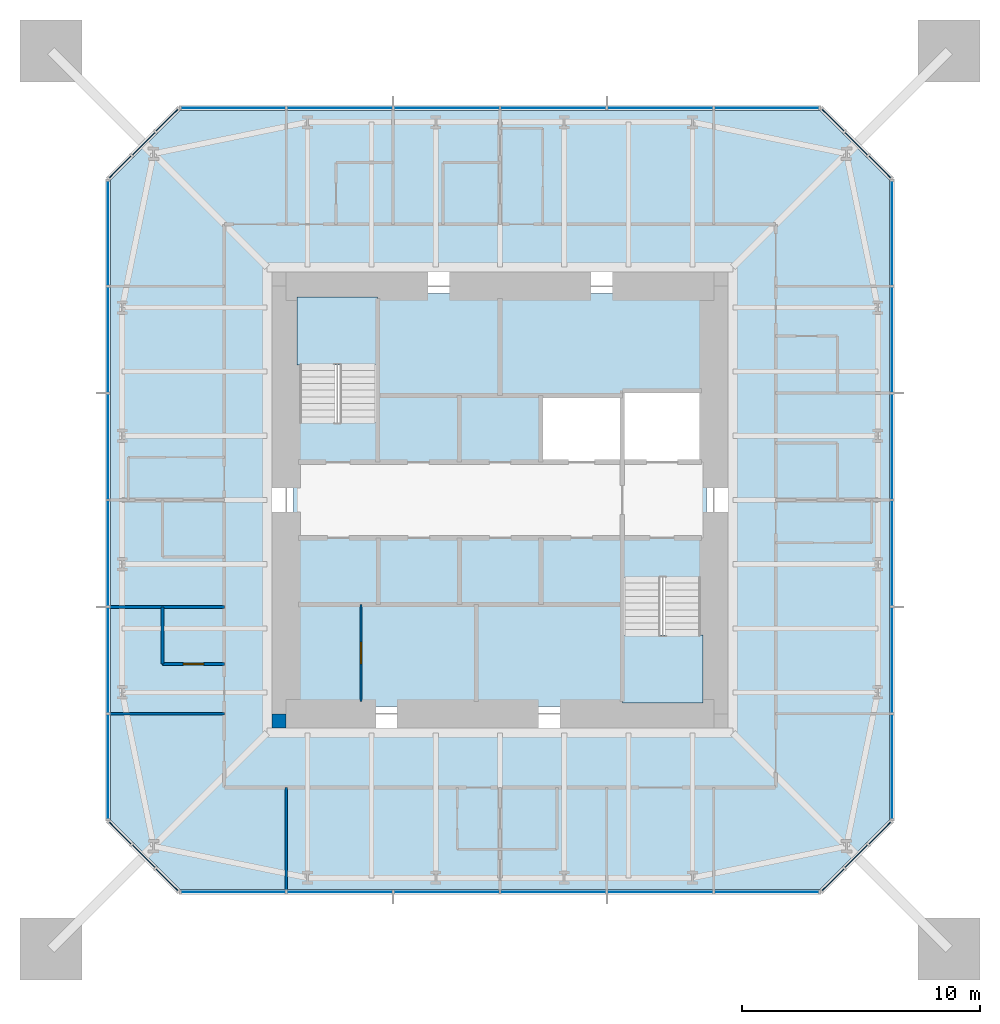
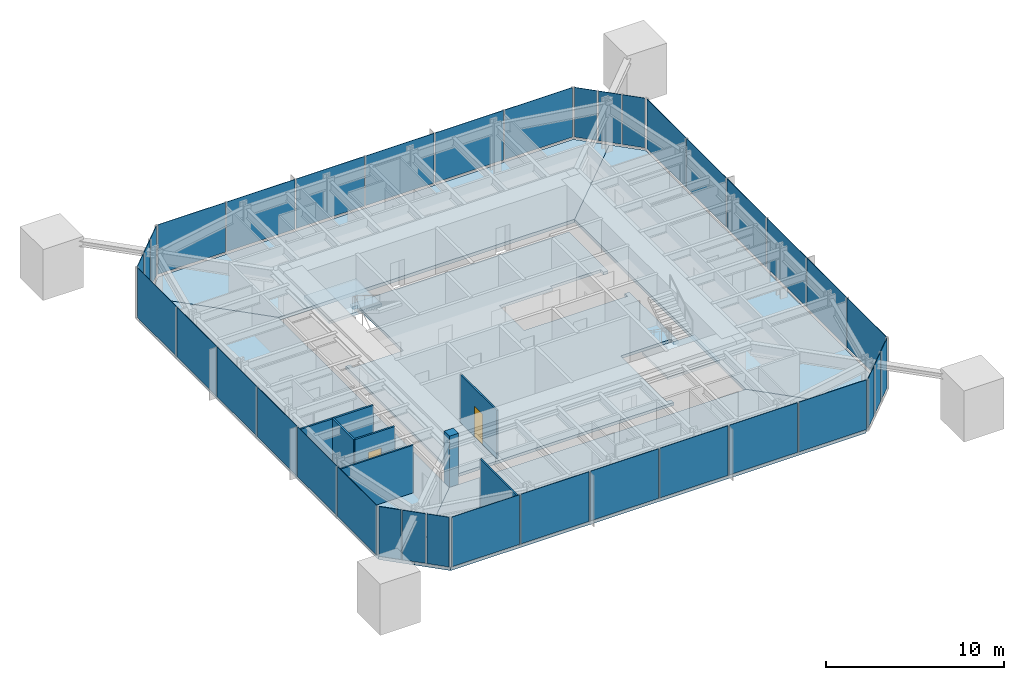
# One storey, part 5 of 9: 36 plates, 7 slabs, 7 walls, 2 doors, 2 openings, 10 elements without a shape of their own.
"""IFC4 building model written with IfcOpenShell, lengths in metres."""

from ifc_helpers import new_model, si_unit, direction, frame, frame_2d, origin, origin_2d, place, context, subcontext, project, spatial, polyline, rectangle, outline, extrude, material, layer, layer_set, constituent, constituent_set, type_object, element, fill, aggregate, save


model = new_model("IFC4")

# Units and contexts
model_context = context("Model", 3, precision=1e-05, world=origin(), true_north=direction((0.0, 1.0)))
body_context = subcontext(model_context, "Body", "Model", "MODEL_VIEW")
ifc_project = project(units=[si_unit("LENGTHUNIT", "METRE"), si_unit("AREAUNIT", "SQUARE_METRE"), si_unit("VOLUMEUNIT", "CUBIC_METRE"), si_unit("PLANEANGLEUNIT", "RADIAN"), si_unit("MASSUNIT", "GRAM", prefix="KILO")], contexts=[model_context])

# Site, building, storey
site_placement = place(None, origin())
site = spatial("IfcSite", under=ifc_project, at=site_placement, CompositionType="ELEMENT")
building_placement = place(site_placement, origin())
building = spatial("IfcBuilding", under=site, at=building_placement, Name="Iwan Alto Co-Living Towers", CompositionType="ELEMENT")
storey_placement = place(building_placement, frame((0.0, 0.0, 232.5)))
storey = spatial("IfcBuildingStorey", under=building, at=storey_placement, Name="L63", CompositionType="ELEMENT", Elevation=232.5)

# Slab
ifc_material_1 = material(Name="Concrete f'c 30 MPa", Category="concrete")
ifc_layer_1 = layer(ifc_material_1, 0.199951171875)
ifc_layer_set_1 = layer_set([ifc_layer_1], Name="CORE FLOOR SLAB 200")
slab_type_1 = type_object("IfcSlabType", Name="CORE FLOOR SLAB 200", PredefinedType="FLOOR", material=ifc_layer_set_1)
slab_1_placement = place(storey_placement, frame((0.0, 0.0, -0.199951171875)))
element("IfcSlab", 1, at=slab_1_placement, inside=storey, type_object=slab_type_1, Name="T1 core floor L63", PredefinedType="FLOOR", context=body_context, shape_type="SweptSolid", body=[
    extrude(outline(polyline([(-8.699951171875, 3.580078125), (-8.39990234375, 3.580078125), (-8.39990234375, 3.27001953125), (-5.14990234375, 3.27001953125), (-5.14990234375, 8.39990234375), (-5.4599609375, 8.39990234375), (-5.4599609375, 8.699951171875), (8.699951171875, 8.699951171875), (8.699951171875, 4.2900390625), (8.39990234375, 4.2900390625), (8.39990234375, 4.60009765625), (5.14990234375, 4.60009765625), (5.14990234375, 4.39990234375), (1.717041015625, 4.39990234375), (1.717041015625, 1.60009765625), (5.14990234375, 1.60009765625), (8.39990234375, 1.60009765625), (8.39990234375, 1.909912109375), (8.699951171875, 1.909912109375), (8.699951171875, -3.580078125), (8.39990234375, -3.580078125), (8.39990234375, -3.27001953125), (5.14990234375, -3.27001953125), (5.14990234375, -8.39990234375), (5.4599609375, -8.39990234375), (5.4599609375, -8.699951171875), (-8.699951171875, -8.699951171875), (-8.699951171875, 3.580078125)])), origin(), (0.0, 0.0, 1.0), 0.199951171875),
])

# Curtain wall, plates
ifc_material_2 = material(Name="Bronze aluminium unitised frame", Category="aluminium")
curtain_wall_type_1 = type_object("IfcCurtainWallType", Name="CURTAIN WALL CW-A", PredefinedType="NOTDEFINED", material=ifc_material_2)
curtain_wall_1_placement = place(storey_placement, origin())
curtain_wall_1 = element("IfcCurtainWall", 2, at=curtain_wall_1_placement, inside=storey, type_object=curtain_wall_type_1, Name="T1 curtain wall S L63", PredefinedType="NOTDEFINED")
ifc_material_3 = material(Name="Bronze-tinted insulating glass", Category="glass")
ifc_layer_2 = layer(ifc_material_3, 0.031982421875)
ifc_layer_set_2 = layer_set([ifc_layer_2], Name="CW-A PANEL TINTED IGU 32")
plate_type_1 = type_object("IfcPlateType", Name="CW-A PANEL TINTED IGU 32", PredefinedType="CURTAIN_PANEL", material=ifc_layer_set_2)
plate_1_placement = place(storey_placement, frame((-11.22998046875, -16.5, 0.10009765625), z_axis=(0.0, 0.0, 1.0), x_axis=(1.0, 0.0, 0.0)))
plate_1 = element("IfcPlate", 3, at=plate_1_placement, type_object=plate_type_1, Name="CW-A panel 1.1", PredefinedType="CURTAIN_PANEL", context=body_context, shape_type="SweptSolid", body=[
    extrude(rectangle(XDim=4.3798828125, YDim=0.031982421875, at=origin_2d()), origin(), (0.0, 0.0, 1.0), 3.39990234375),
])
plate_2_placement = place(storey_placement, frame((-6.75, -16.5, 0.10009765625), z_axis=(0.0, 0.0, 1.0), x_axis=(1.0, 0.0, 0.0)))
plate_2 = element("IfcPlate", 4, at=plate_2_placement, type_object=plate_type_1, Name="CW-A panel 2.1", PredefinedType="CURTAIN_PANEL", context=body_context, shape_type="SweptSolid", body=[
    extrude(rectangle(XDim=4.419921875, YDim=0.031982421875, at=origin_2d()), origin(), (0.0, 0.0, 1.0), 3.39990234375),
])
plate_3_placement = place(storey_placement, frame((-2.25, -16.5, 0.10009765625), z_axis=(0.0, 0.0, 1.0), x_axis=(1.0, 0.0, 0.0)))
plate_3 = element("IfcPlate", 5, at=plate_3_placement, type_object=plate_type_1, Name="CW-A panel 3.1", PredefinedType="CURTAIN_PANEL", context=body_context, shape_type="SweptSolid", body=[
    extrude(rectangle(XDim=4.419921875, YDim=0.031982421875, at=origin_2d()), origin(), (0.0, 0.0, 1.0), 3.39990234375),
])
plate_4_placement = place(storey_placement, frame((2.25, -16.5, 0.10009765625), z_axis=(0.0, 0.0, 1.0), x_axis=(1.0, 0.0, 0.0)))
plate_4 = element("IfcPlate", 6, at=plate_4_placement, type_object=plate_type_1, Name="CW-A panel 4.1", PredefinedType="CURTAIN_PANEL", context=body_context, shape_type="SweptSolid", body=[
    extrude(rectangle(XDim=4.419921875, YDim=0.031982421875, at=origin_2d()), origin(), (0.0, 0.0, 1.0), 3.39990234375),
])
plate_5_placement = place(storey_placement, frame((6.75, -16.5, 0.10009765625), z_axis=(0.0, 0.0, 1.0), x_axis=(1.0, 0.0, 0.0)))
plate_5 = element("IfcPlate", 7, at=plate_5_placement, type_object=plate_type_1, Name="CW-A panel 5.1", PredefinedType="CURTAIN_PANEL", context=body_context, shape_type="SweptSolid", body=[
    extrude(rectangle(XDim=4.419921875, YDim=0.031982421875, at=origin_2d()), origin(), (0.0, 0.0, 1.0), 3.39990234375),
])
plate_6_placement = place(storey_placement, frame((11.22998046875, -16.5, 0.10009765625), z_axis=(0.0, 0.0, 1.0), x_axis=(1.0, 0.0, 0.0)))
plate_6 = element("IfcPlate", 8, at=plate_6_placement, type_object=plate_type_1, Name="CW-A panel 6.1", PredefinedType="CURTAIN_PANEL", context=body_context, shape_type="SweptSolid", body=[
    extrude(rectangle(XDim=4.3798828125, YDim=0.031982421875, at=origin_2d()), origin(), (0.0, 0.0, 1.0), 3.39990234375),
])
aggregate(curtain_wall_1, [plate_1, plate_2, plate_3, plate_4, plate_5, plate_6])

curtain_wall_2_placement = place(storey_placement, origin())
curtain_wall_2 = element("IfcCurtainWall", 9, at=curtain_wall_2_placement, inside=storey, type_object=curtain_wall_type_1, Name="T1 curtain wall E L63", PredefinedType="NOTDEFINED")
plate_7_placement = place(storey_placement, frame((16.5, -11.22998046875, 0.10009765625), z_axis=(0.0, 0.0, 1.0), x_axis=(0.0, 1.0, 0.0)))
plate_7 = element("IfcPlate", 10, at=plate_7_placement, type_object=plate_type_1, Name="CW-A panel 1.1", PredefinedType="CURTAIN_PANEL", context=body_context, shape_type="SweptSolid", body=[
    extrude(rectangle(XDim=4.3798828125, YDim=0.031982421875, at=origin_2d()), origin(), (0.0, 0.0, 1.0), 3.39990234375),
])
plate_8_placement = place(storey_placement, frame((16.5, -6.75, 0.10009765625), z_axis=(0.0, 0.0, 1.0), x_axis=(0.0, 1.0, 0.0)))
plate_8 = element("IfcPlate", 11, at=plate_8_placement, type_object=plate_type_1, Name="CW-A panel 2.1", PredefinedType="CURTAIN_PANEL", context=body_context, shape_type="SweptSolid", body=[
    extrude(rectangle(XDim=4.419921875, YDim=0.031982421875, at=origin_2d()), origin(), (0.0, 0.0, 1.0), 3.39990234375),
])
plate_9_placement = place(storey_placement, frame((16.5, -2.25, 0.10009765625), z_axis=(0.0, 0.0, 1.0), x_axis=(0.0, 1.0, 0.0)))
plate_9 = element("IfcPlate", 12, at=plate_9_placement, type_object=plate_type_1, Name="CW-A panel 3.1", PredefinedType="CURTAIN_PANEL", context=body_context, shape_type="SweptSolid", body=[
    extrude(rectangle(XDim=4.419921875, YDim=0.031982421875, at=origin_2d()), origin(), (0.0, 0.0, 1.0), 3.39990234375),
])
plate_10_placement = place(storey_placement, frame((16.5, 2.25, 0.10009765625), z_axis=(0.0, 0.0, 1.0), x_axis=(0.0, 1.0, 0.0)))
plate_10 = element("IfcPlate", 13, at=plate_10_placement, type_object=plate_type_1, Name="CW-A panel 4.1", PredefinedType="CURTAIN_PANEL", context=body_context, shape_type="SweptSolid", body=[
    extrude(rectangle(XDim=4.419921875, YDim=0.031982421875, at=origin_2d()), origin(), (0.0, 0.0, 1.0), 3.39990234375),
])
plate_11_placement = place(storey_placement, frame((16.5, 6.75, 0.10009765625), z_axis=(0.0, 0.0, 1.0), x_axis=(0.0, 1.0, 0.0)))
plate_11 = element("IfcPlate", 14, at=plate_11_placement, type_object=plate_type_1, Name="CW-A panel 5.1", PredefinedType="CURTAIN_PANEL", context=body_context, shape_type="SweptSolid", body=[
    extrude(rectangle(XDim=4.419921875, YDim=0.031982421875, at=origin_2d()), origin(), (0.0, 0.0, 1.0), 3.39990234375),
])
plate_12_placement = place(storey_placement, frame((16.5, 11.22998046875, 0.10009765625), z_axis=(0.0, 0.0, 1.0), x_axis=(0.0, 1.0, 0.0)))
plate_12 = element("IfcPlate", 15, at=plate_12_placement, type_object=plate_type_1, Name="CW-A panel 6.1", PredefinedType="CURTAIN_PANEL", context=body_context, shape_type="SweptSolid", body=[
    extrude(rectangle(XDim=4.3798828125, YDim=0.031982421875, at=origin_2d()), origin(), (0.0, 0.0, 1.0), 3.39990234375),
])
aggregate(curtain_wall_2, [plate_7, plate_8, plate_9, plate_10, plate_11, plate_12])

curtain_wall_3_placement = place(storey_placement, origin())
curtain_wall_3 = element("IfcCurtainWall", 16, at=curtain_wall_3_placement, inside=storey, type_object=curtain_wall_type_1, Name="T1 curtain wall N L63", PredefinedType="NOTDEFINED")
plate_13_placement = place(storey_placement, frame((11.22998046875, 16.5, 0.10009765625), z_axis=(0.0, 0.0, 1.0), x_axis=(-1.0, 0.0, 0.0)))
plate_13 = element("IfcPlate", 17, at=plate_13_placement, type_object=plate_type_1, Name="CW-A panel 1.1", PredefinedType="CURTAIN_PANEL", context=body_context, shape_type="SweptSolid", body=[
    extrude(rectangle(XDim=4.3798828125, YDim=0.031982421875, at=origin_2d()), origin(), (0.0, 0.0, 1.0), 3.39990234375),
])
plate_14_placement = place(storey_placement, frame((6.75, 16.5, 0.10009765625), z_axis=(0.0, 0.0, 1.0), x_axis=(-1.0, 0.0, 0.0)))
plate_14 = element("IfcPlate", 18, at=plate_14_placement, type_object=plate_type_1, Name="CW-A panel 2.1", PredefinedType="CURTAIN_PANEL", context=body_context, shape_type="SweptSolid", body=[
    extrude(rectangle(XDim=4.419921875, YDim=0.031982421875, at=origin_2d()), origin(), (0.0, 0.0, 1.0), 3.39990234375),
])
plate_15_placement = place(storey_placement, frame((2.25, 16.5, 0.10009765625), z_axis=(0.0, 0.0, 1.0), x_axis=(-1.0, 0.0, 0.0)))
plate_15 = element("IfcPlate", 19, at=plate_15_placement, type_object=plate_type_1, Name="CW-A panel 3.1", PredefinedType="CURTAIN_PANEL", context=body_context, shape_type="SweptSolid", body=[
    extrude(rectangle(XDim=4.419921875, YDim=0.031982421875, at=origin_2d()), origin(), (0.0, 0.0, 1.0), 3.39990234375),
])
plate_16_placement = place(storey_placement, frame((-2.25, 16.5, 0.10009765625), z_axis=(0.0, 0.0, 1.0), x_axis=(-1.0, 0.0, 0.0)))
plate_16 = element("IfcPlate", 20, at=plate_16_placement, type_object=plate_type_1, Name="CW-A panel 4.1", PredefinedType="CURTAIN_PANEL", context=body_context, shape_type="SweptSolid", body=[
    extrude(rectangle(XDim=4.419921875, YDim=0.031982421875, at=origin_2d()), origin(), (0.0, 0.0, 1.0), 3.39990234375),
])
plate_17_placement = place(storey_placement, frame((-6.75, 16.5, 0.10009765625), z_axis=(0.0, 0.0, 1.0), x_axis=(-1.0, 0.0, 0.0)))
plate_17 = element("IfcPlate", 21, at=plate_17_placement, type_object=plate_type_1, Name="CW-A panel 5.1", PredefinedType="CURTAIN_PANEL", context=body_context, shape_type="SweptSolid", body=[
    extrude(rectangle(XDim=4.419921875, YDim=0.031982421875, at=origin_2d()), origin(), (0.0, 0.0, 1.0), 3.39990234375),
])
plate_18_placement = place(storey_placement, frame((-11.22998046875, 16.5, 0.10009765625), z_axis=(0.0, 0.0, 1.0), x_axis=(-1.0, 0.0, 0.0)))
plate_18 = element("IfcPlate", 22, at=plate_18_placement, type_object=plate_type_1, Name="CW-A panel 6.1", PredefinedType="CURTAIN_PANEL", context=body_context, shape_type="SweptSolid", body=[
    extrude(rectangle(XDim=4.3798828125, YDim=0.031982421875, at=origin_2d()), origin(), (0.0, 0.0, 1.0), 3.39990234375),
])
aggregate(curtain_wall_3, [plate_13, plate_14, plate_15, plate_16, plate_17, plate_18])

curtain_wall_4_placement = place(storey_placement, origin())
curtain_wall_4 = element("IfcCurtainWall", 23, at=curtain_wall_4_placement, inside=storey, type_object=curtain_wall_type_1, Name="T1 curtain wall W L63", PredefinedType="NOTDEFINED")
plate_19_placement = place(storey_placement, frame((-16.5, 11.22998046875, 0.10009765625), z_axis=(0.0, 0.0, 1.0), x_axis=(0.0, -1.0, 0.0)))
plate_19 = element("IfcPlate", 24, at=plate_19_placement, type_object=plate_type_1, Name="CW-A panel 1.1", PredefinedType="CURTAIN_PANEL", context=body_context, shape_type="SweptSolid", body=[
    extrude(rectangle(XDim=4.3798828125, YDim=0.031982421875, at=origin_2d()), origin(), (0.0, 0.0, 1.0), 3.39990234375),
])
plate_20_placement = place(storey_placement, frame((-16.5, 6.75, 0.10009765625), z_axis=(0.0, 0.0, 1.0), x_axis=(0.0, -1.0, 0.0)))
plate_20 = element("IfcPlate", 25, at=plate_20_placement, type_object=plate_type_1, Name="CW-A panel 2.1", PredefinedType="CURTAIN_PANEL", context=body_context, shape_type="SweptSolid", body=[
    extrude(rectangle(XDim=4.419921875, YDim=0.031982421875, at=origin_2d()), origin(), (0.0, 0.0, 1.0), 3.39990234375),
])
plate_21_placement = place(storey_placement, frame((-16.5, 2.25, 0.10009765625), z_axis=(0.0, 0.0, 1.0), x_axis=(0.0, -1.0, 0.0)))
plate_21 = element("IfcPlate", 26, at=plate_21_placement, type_object=plate_type_1, Name="CW-A panel 3.1", PredefinedType="CURTAIN_PANEL", context=body_context, shape_type="SweptSolid", body=[
    extrude(rectangle(XDim=4.419921875, YDim=0.031982421875, at=origin_2d()), origin(), (0.0, 0.0, 1.0), 3.39990234375),
])
plate_22_placement = place(storey_placement, frame((-16.5, -2.25, 0.10009765625), z_axis=(0.0, 0.0, 1.0), x_axis=(0.0, -1.0, 0.0)))
plate_22 = element("IfcPlate", 27, at=plate_22_placement, type_object=plate_type_1, Name="CW-A panel 4.1", PredefinedType="CURTAIN_PANEL", context=body_context, shape_type="SweptSolid", body=[
    extrude(rectangle(XDim=4.419921875, YDim=0.031982421875, at=origin_2d()), origin(), (0.0, 0.0, 1.0), 3.39990234375),
])
plate_23_placement = place(storey_placement, frame((-16.5, -6.75, 0.10009765625), z_axis=(0.0, 0.0, 1.0), x_axis=(0.0, -1.0, 0.0)))
plate_23 = element("IfcPlate", 28, at=plate_23_placement, type_object=plate_type_1, Name="CW-A panel 5.1", PredefinedType="CURTAIN_PANEL", context=body_context, shape_type="SweptSolid", body=[
    extrude(rectangle(XDim=4.419921875, YDim=0.031982421875, at=origin_2d()), origin(), (0.0, 0.0, 1.0), 3.39990234375),
])
plate_24_placement = place(storey_placement, frame((-16.5, -11.22998046875, 0.10009765625), z_axis=(0.0, 0.0, 1.0), x_axis=(0.0, -1.0, 0.0)))
plate_24 = element("IfcPlate", 29, at=plate_24_placement, type_object=plate_type_1, Name="CW-A panel 6.1", PredefinedType="CURTAIN_PANEL", context=body_context, shape_type="SweptSolid", body=[
    extrude(rectangle(XDim=4.3798828125, YDim=0.031982421875, at=origin_2d()), origin(), (0.0, 0.0, 1.0), 3.39990234375),
])
aggregate(curtain_wall_4, [plate_19, plate_20, plate_21, plate_22, plate_23, plate_24])

ifc_material_4 = material(Name="Bronze aluminium unitised frame", Category="aluminium")
curtain_wall_type_2 = type_object("IfcCurtainWallType", Name="CURTAIN WALL CW-B", PredefinedType="NOTDEFINED", material=ifc_material_4)
curtain_wall_5_placement = place(storey_placement, origin())
curtain_wall_5 = element("IfcCurtainWall", 30, at=curtain_wall_5_placement, inside=storey, type_object=curtain_wall_type_2, Name="T1 chamfer curtain wall SE L63", PredefinedType="NOTDEFINED")
ifc_material_5 = material(Name="Bronze-tinted insulating glass", Category="glass")
ifc_layer_3 = layer(ifc_material_5, 0.031982421875)
ifc_layer_set_3 = layer_set([ifc_layer_3], Name="CW-B PANEL TINTED IGU 32")
plate_type_2 = type_object("IfcPlateType", Name="CW-B PANEL TINTED IGU 32", PredefinedType="CURTAIN_PANEL", material=ifc_layer_set_3)
plate_25_placement = place(storey_placement, frame((14.01416015625, -15.98583984375, 0.10009765625), z_axis=(0.0, 0.0, 1.0), x_axis=(0.707106781187, 0.707106781187, 0.0)))
plate_25 = element("IfcPlate", 31, at=plate_25_placement, type_object=plate_type_2, Name="CW-B panel 1.1", PredefinedType="CURTAIN_PANEL", context=body_context, shape_type="SweptSolid", body=[
    extrude(rectangle(XDim=1.294189453125, YDim=0.031982421875, at=origin_2d()), origin(), (0.0, 0.0, 1.0), 3.39990234375),
])
plate_26_placement = place(storey_placement, frame((15.0, -15.0, 0.10009765625), z_axis=(0.0, 0.0, 1.0), x_axis=(0.707106781187, 0.707106781187, 0.0)))
plate_26 = element("IfcPlate", 32, at=plate_26_placement, type_object=plate_type_2, Name="CW-B panel 2.1", PredefinedType="CURTAIN_PANEL", context=body_context, shape_type="SweptSolid", body=[
    extrude(rectangle(XDim=1.334228515625, YDim=0.031982421875, at=origin_2d()), origin(), (0.0, 0.0, 1.0), 3.39990234375),
])
plate_27_placement = place(storey_placement, frame((15.98583984375, -14.01416015625, 0.10009765625), z_axis=(0.0, 0.0, 1.0), x_axis=(0.707106781187, 0.707106781187, 0.0)))
plate_27 = element("IfcPlate", 33, at=plate_27_placement, type_object=plate_type_2, Name="CW-B panel 3.1", PredefinedType="CURTAIN_PANEL", context=body_context, shape_type="SweptSolid", body=[
    extrude(rectangle(XDim=1.294189453125, YDim=0.031982421875, at=origin_2d()), origin(), (0.0, 0.0, 1.0), 3.39990234375),
])
aggregate(curtain_wall_5, [plate_25, plate_26, plate_27])

curtain_wall_6_placement = place(storey_placement, origin())
curtain_wall_6 = element("IfcCurtainWall", 34, at=curtain_wall_6_placement, inside=storey, type_object=curtain_wall_type_2, Name="T1 chamfer curtain wall NE L63", PredefinedType="NOTDEFINED")
plate_28_placement = place(storey_placement, frame((15.98583984375, 14.01416015625, 0.10009765625), z_axis=(0.0, 0.0, 1.0), x_axis=(-0.707106781187, 0.707106781187, 0.0)))
plate_28 = element("IfcPlate", 35, at=plate_28_placement, type_object=plate_type_2, Name="CW-B panel 1.1", PredefinedType="CURTAIN_PANEL", context=body_context, shape_type="SweptSolid", body=[
    extrude(rectangle(XDim=1.294189453125, YDim=0.031982421875, at=origin_2d()), origin(), (0.0, 0.0, 1.0), 3.39990234375),
])
plate_29_placement = place(storey_placement, frame((15.0, 15.0, 0.10009765625), z_axis=(0.0, 0.0, 1.0), x_axis=(-0.707106781187, 0.707106781187, 0.0)))
plate_29 = element("IfcPlate", 36, at=plate_29_placement, type_object=plate_type_2, Name="CW-B panel 2.1", PredefinedType="CURTAIN_PANEL", context=body_context, shape_type="SweptSolid", body=[
    extrude(rectangle(XDim=1.334228515625, YDim=0.031982421875, at=origin_2d()), origin(), (0.0, 0.0, 1.0), 3.39990234375),
])
plate_30_placement = place(storey_placement, frame((14.01416015625, 15.98583984375, 0.10009765625), z_axis=(0.0, 0.0, 1.0), x_axis=(-0.707106781187, 0.707106781187, 0.0)))
plate_30 = element("IfcPlate", 37, at=plate_30_placement, type_object=plate_type_2, Name="CW-B panel 3.1", PredefinedType="CURTAIN_PANEL", context=body_context, shape_type="SweptSolid", body=[
    extrude(rectangle(XDim=1.294189453125, YDim=0.031982421875, at=origin_2d()), origin(), (0.0, 0.0, 1.0), 3.39990234375),
])
aggregate(curtain_wall_6, [plate_28, plate_29, plate_30])

curtain_wall_7_placement = place(storey_placement, origin())
curtain_wall_7 = element("IfcCurtainWall", 38, at=curtain_wall_7_placement, inside=storey, type_object=curtain_wall_type_2, Name="T1 chamfer curtain wall NW L63", PredefinedType="NOTDEFINED")
plate_31_placement = place(storey_placement, frame((-14.01416015625, 15.98583984375, 0.10009765625), z_axis=(0.0, 0.0, 1.0), x_axis=(-0.707106781187, -0.707106781187, 0.0)))
plate_31 = element("IfcPlate", 39, at=plate_31_placement, type_object=plate_type_2, Name="CW-B panel 1.1", PredefinedType="CURTAIN_PANEL", context=body_context, shape_type="SweptSolid", body=[
    extrude(rectangle(XDim=1.294189453125, YDim=0.031982421875, at=origin_2d()), origin(), (0.0, 0.0, 1.0), 3.39990234375),
])
plate_32_placement = place(storey_placement, frame((-15.0, 15.0, 0.10009765625), z_axis=(0.0, 0.0, 1.0), x_axis=(-0.707106781187, -0.707106781187, 0.0)))
plate_32 = element("IfcPlate", 40, at=plate_32_placement, type_object=plate_type_2, Name="CW-B panel 2.1", PredefinedType="CURTAIN_PANEL", context=body_context, shape_type="SweptSolid", body=[
    extrude(rectangle(XDim=1.334228515625, YDim=0.031982421875, at=origin_2d()), origin(), (0.0, 0.0, 1.0), 3.39990234375),
])
plate_33_placement = place(storey_placement, frame((-15.98583984375, 14.01416015625, 0.10009765625), z_axis=(0.0, 0.0, 1.0), x_axis=(-0.707106781187, -0.707106781187, 0.0)))
plate_33 = element("IfcPlate", 41, at=plate_33_placement, type_object=plate_type_2, Name="CW-B panel 3.1", PredefinedType="CURTAIN_PANEL", context=body_context, shape_type="SweptSolid", body=[
    extrude(rectangle(XDim=1.294189453125, YDim=0.031982421875, at=origin_2d()), origin(), (0.0, 0.0, 1.0), 3.39990234375),
])
aggregate(curtain_wall_7, [plate_31, plate_32, plate_33])

curtain_wall_8_placement = place(storey_placement, origin())
curtain_wall_8 = element("IfcCurtainWall", 42, at=curtain_wall_8_placement, inside=storey, type_object=curtain_wall_type_2, Name="T1 chamfer curtain wall SW L63", PredefinedType="NOTDEFINED")
plate_34_placement = place(storey_placement, frame((-15.98583984375, -14.01416015625, 0.10009765625), z_axis=(0.0, 0.0, 1.0), x_axis=(0.707106781187, -0.707106781187, 0.0)))
plate_34 = element("IfcPlate", 43, at=plate_34_placement, type_object=plate_type_2, Name="CW-B panel 1.1", PredefinedType="CURTAIN_PANEL", context=body_context, shape_type="SweptSolid", body=[
    extrude(rectangle(XDim=1.294189453125, YDim=0.031982421875, at=origin_2d()), origin(), (0.0, 0.0, 1.0), 3.39990234375),
])
plate_35_placement = place(storey_placement, frame((-15.0, -15.0, 0.10009765625), z_axis=(0.0, 0.0, 1.0), x_axis=(0.707106781187, -0.707106781187, 0.0)))
plate_35 = element("IfcPlate", 44, at=plate_35_placement, type_object=plate_type_2, Name="CW-B panel 2.1", PredefinedType="CURTAIN_PANEL", context=body_context, shape_type="SweptSolid", body=[
    extrude(rectangle(XDim=1.334228515625, YDim=0.031982421875, at=origin_2d()), origin(), (0.0, 0.0, 1.0), 3.39990234375),
])
plate_36_placement = place(storey_placement, frame((-14.01416015625, -15.98583984375, 0.10009765625), z_axis=(0.0, 0.0, 1.0), x_axis=(0.707106781187, -0.707106781187, 0.0)))
plate_36 = element("IfcPlate", 45, at=plate_36_placement, type_object=plate_type_2, Name="CW-B panel 3.1", PredefinedType="CURTAIN_PANEL", context=body_context, shape_type="SweptSolid", body=[
    extrude(rectangle(XDim=1.294189453125, YDim=0.031982421875, at=origin_2d()), origin(), (0.0, 0.0, 1.0), 3.39990234375),
])
aggregate(curtain_wall_8, [plate_34, plate_35, plate_36])

# Stair, slab
ifc_material_6 = material(Name="Steel ASTM A36", Category="steel")
ifc_constituent_1 = constituent(ifc_material_6, Name="Stringers", Category="LoadBearing")
ifc_material_7 = material(Name="Concrete f'c 30 MPa", Category="concrete")
ifc_constituent_2 = constituent(ifc_material_7, Name="Tread fill", Category="Finish")
ifc_constituent_set = constituent_set(constituents=[ifc_constituent_1, ifc_constituent_2], Name="STAIR 3500 TWO-FLIGHT T1 CORE")
stair_type = type_object("IfcStairType", Name="STAIR 3500 TWO-FLIGHT T1 CORE", PredefinedType="HALF_TURN_STAIR", material=ifc_constituent_set)
stair_1_placement = place(storey_placement, origin())
stair_1 = element("IfcStair", 46, at=stair_1_placement, inside=storey, type_object=stair_type, Name="Stair T1-S1 L63 to L64", PredefinedType="HALF_TURN_STAIR")
ifc_material_8 = material(Name="Concrete f'c 30 MPa", Category="concrete")
ifc_layer_4 = layer(ifc_material_8, 0.199951171875)
ifc_layer_set_4 = layer_set([ifc_layer_4], Name="STAIR LANDING 200")
slab_type_2 = type_object("IfcSlabType", Name="STAIR LANDING 200", PredefinedType="LANDING", material=ifc_layer_set_4)
slab_2_placement = place(storey_placement, frame((0.0, 0.0, 1.550048828125)))
slab_2 = element("IfcSlab", 47, at=slab_2_placement, type_object=slab_type_2, Name="T1-S1 landing 1", PredefinedType="LANDING", context=body_context, shape_type="SweptSolid", body=[
    extrude(outline(polyline([(-8.550048828125, 5.68994140625), (-8.550048828125, 8.550048828125), (-5.14990234375, 8.550048828125), (-5.14990234375, 5.68994140625), (-8.550048828125, 5.68994140625)])), origin(), (0.0, 0.0, 1.0), 0.199951171875),
])
aggregate(stair_1, [slab_2])

stair_2_placement = place(storey_placement, origin())
stair_2 = element("IfcStair", 48, at=stair_2_placement, inside=storey, type_object=stair_type, Name="Stair T1-S2 L63 to L64", PredefinedType="HALF_TURN_STAIR")
slab_3_placement = place(storey_placement, frame((0.0, 0.0, 1.550048828125)))
slab_3 = element("IfcSlab", 49, at=slab_3_placement, type_object=slab_type_2, Name="T1-S2 landing 1", PredefinedType="LANDING", context=body_context, shape_type="SweptSolid", body=[
    extrude(outline(polyline([(5.14990234375, -5.68994140625), (5.14990234375, -8.550048828125), (8.550048828125, -8.550048828125), (8.550048828125, -5.68994140625), (5.14990234375, -5.68994140625)])), origin(), (0.0, 0.0, 1.0), 0.199951171875),
])
aggregate(stair_2, [slab_3])

# Slabs
ifc_material_9 = material(Name="Concrete f'c 30 MPa", Category="concrete")
ifc_layer_5 = layer(ifc_material_9, 0.22998046875)
ifc_layer_set_5 = layer_set([ifc_layer_5], Name="T1 FLOOR SLAB 230")
slab_type_3 = type_object("IfcSlabType", Name="T1 FLOOR SLAB 230", PredefinedType="FLOOR", material=ifc_layer_set_5)
slab_4_placement = place(storey_placement, frame((0.0, 0.0, -0.22998046875)))
element("IfcSlab", 50, at=slab_4_placement, inside=storey, type_object=slab_type_3, Name="T1 floor slab L63 S pour", PredefinedType="FLOOR", context=body_context, shape_type="SweptSolid", body=[
    extrude(outline(polyline([(13.44140625, -16.39990234375), (-13.44140625, -16.39990234375), (-14.920654296875, -14.920654296875), (-9.60009765625, -9.60009765625), (9.60009765625, -9.60009765625), (14.920654296875, -14.920654296875), (13.44140625, -16.39990234375)])), origin(), (0.0, 0.0, 1.0), 0.22998046875),
])
slab_5_placement = place(storey_placement, frame((0.0, 0.0, -0.22998046875)))
element("IfcSlab", 51, at=slab_5_placement, inside=storey, type_object=slab_type_3, Name="T1 floor slab L63 E pour", PredefinedType="FLOOR", context=body_context, shape_type="SweptSolid", body=[
    extrude(outline(polyline([(16.39990234375, 13.44140625), (16.39990234375, -13.44140625), (14.920654296875, -14.920654296875), (9.60009765625, -9.60009765625), (9.60009765625, 9.60009765625), (14.920654296875, 14.920654296875), (16.39990234375, 13.44140625)])), origin(), (0.0, 0.0, 1.0), 0.22998046875),
])
slab_6_placement = place(storey_placement, frame((0.0, 0.0, -0.22998046875)))
element("IfcSlab", 52, at=slab_6_placement, inside=storey, type_object=slab_type_3, Name="T1 floor slab L63 N pour", PredefinedType="FLOOR", context=body_context, shape_type="SweptSolid", body=[
    extrude(outline(polyline([(-13.44140625, 16.39990234375), (13.44140625, 16.39990234375), (14.920654296875, 14.920654296875), (9.60009765625, 9.60009765625), (-9.60009765625, 9.60009765625), (-14.920654296875, 14.920654296875), (-13.44140625, 16.39990234375)])), origin(), (0.0, 0.0, 1.0), 0.22998046875),
])
slab_7_placement = place(storey_placement, frame((0.0, 0.0, -0.22998046875)))
element("IfcSlab", 53, at=slab_7_placement, inside=storey, type_object=slab_type_3, Name="T1 floor slab L63 W pour", PredefinedType="FLOOR", context=body_context, shape_type="SweptSolid", body=[
    extrude(outline(polyline([(-16.39990234375, 13.44140625), (-14.920654296875, 14.920654296875), (-9.60009765625, 9.60009765625), (-9.60009765625, -9.60009765625), (-14.920654296875, -14.920654296875), (-16.39990234375, -13.44140625), (-16.39990234375, 13.44140625)])), origin(), (0.0, 0.0, 1.0), 0.22998046875),
])

# Wall
ifc_material_10 = material(Name="Gypsum board")
ifc_layer_6 = layer(ifc_material_10, 0.012451171875, Name="Board", Category="Finish")
ifc_material_11 = material(Name="Steel ASTM A1003 ST33H cold-formed studs", Category="steel")
ifc_layer_7 = layer(ifc_material_11, 0.074951171875, Name="Studs", Category="Framing")
ifc_layer_8 = layer(ifc_material_10, 0.012451171875, Name="Board", Category="Finish")
ifc_layer_set_6 = layer_set([ifc_layer_6, ifc_layer_7, ifc_layer_8], Name="PARTITION 100")
wall_type_1 = type_object("IfcWallType", Name="PARTITION 100", PredefinedType="PARTITIONING", material=ifc_layer_set_6)
wall_1_placement = place(storey_placement, frame((-16.43994140625, -9.0, 0.0), z_axis=(0.0, 0.0, 1.0), x_axis=(1.0, 0.0, 0.0)))
element("IfcWall", 54, at=wall_1_placement, inside=storey, type_object=wall_type_1, Name="Partition L63", PredefinedType="PARTITIONING", context=body_context, shape_type="SweptSolid", body=[
    extrude(rectangle(XDim=4.83984375, YDim=0.10009765625, at=frame_2d((2.419921875, 0.0))), origin(), (0.0, 0.0, 1.0), 3.27001953125),
])

# Wall, opening, door
wall_2_placement = place(storey_placement, frame((-5.85009765625, -8.489990234375, 0.0), z_axis=(0.0, 0.0, 1.0), x_axis=(0.0, 1.0, 0.0)))
wall_2 = element("IfcWall", 55, at=wall_2_placement, inside=storey, type_object=wall_type_1, Name="Partition L63", PredefinedType="PARTITIONING", context=body_context, shape_type="SweptSolid", body=[
    extrude(rectangle(XDim=4.090087890625, YDim=0.10009765625, at=frame_2d((2.044921875, 0.0))), origin(), (0.0, 0.0, 1.0), 3.300048828125),
])
opening_1_placement = place(wall_2_placement, frame((1.594970703125, 0.0, 0.0)))
opening_1 = element("IfcOpeningElement", 56, at=opening_1_placement, cuts=wall_2, Name="Opening D16", PredefinedType="OPENING", context=body_context, shape_type="SweptSolid", body=[
    extrude(rectangle(XDim=0.89990234375, YDim=2.10009765625, at=frame_2d((0.449951171875, 1.050048828125))), frame((0.0, 0.06005859375, 0.0), z_axis=(0.0, -1.0, 0.0), x_axis=(1.0, 0.0, 0.0)), (0.0, 0.0, 1.0), 0.1201171875),
])
ifc_material_12 = material(Name="Timber leaf in steel frame", Category="steel")
door_type_1 = type_object("IfcDoorType", Name="CUPBOARD SLIDING DOOR 900X2100", OperationType="SLIDING_TO_LEFT", PredefinedType="DOOR", material=ifc_material_12)
door_1_placement = place(opening_1_placement, origin())
door_1 = element("IfcDoor", 57, at=door_1_placement, inside=storey, type_object=door_type_1, Name="Bulky waste store door L63", OperationType="SLIDING_TO_LEFT", OverallHeight=2.10009765625, OverallWidth=0.89990234375, PredefinedType="DOOR", context=body_context, shape_type="SweptSolid", body=[
    extrude(rectangle(XDim=0.89990234375, YDim=2.10009765625, at=frame_2d((0.449951171875, 1.050048828125))), frame((0.0, 0.02490234375, 0.0), z_axis=(0.0, -1.0, 0.0), x_axis=(1.0, 0.0, 0.0)), (0.0, 0.0, 1.0), 0.050048828125),
])
fill(opening_1, door_1)

# Walls
wall_3_placement = place(storey_placement, frame((-9.0, -16.43994140625, 0.0), z_axis=(0.0, 0.0, 1.0), x_axis=(0.0, 1.0, 0.0)))
element("IfcWall", 58, at=wall_3_placement, inside=storey, type_object=wall_type_1, Name="Partition L63", PredefinedType="PARTITIONING", context=body_context, shape_type="SweptSolid", body=[
    extrude(rectangle(XDim=4.33984375, YDim=0.10009765625, at=frame_2d((2.169921875, 0.0))), origin(), (0.0, 0.0, 1.0), 3.27001953125),
])
ifc_material_13 = material(Name="Concrete f'c 70 MPa", Category="concrete")
ifc_layer_9 = layer(ifc_material_13, 0.60009765625)
ifc_layer_set_7 = layer_set([ifc_layer_9], Name="T1 CORE CORNER FILL 600")
wall_type_2 = type_object("IfcWallType", Name="T1 CORE CORNER FILL 600", PredefinedType="SOLIDWALL", material=ifc_layer_set_7)
wall_4_placement = place(storey_placement, frame((-9.60009765625, -9.300048828125, 0.0), z_axis=(0.0, 0.0, 1.0), x_axis=(1.0, 0.0, 0.0)))
element("IfcWall", 59, at=wall_4_placement, inside=storey, type_object=wall_type_2, Name="T1 core corner SW L63", PredefinedType="SOLIDWALL", context=body_context, shape_type="SweptSolid", body=[
    extrude(rectangle(XDim=0.60009765625, YDim=0.60009765625, at=frame_2d((0.300048828125, 0.0))), origin(), (0.0, 0.0, 1.0), 3.5),
])

# Wall, opening, door
ifc_material_14 = material(Name="Cement board")
ifc_layer_10 = layer(ifc_material_14, 0.012451171875, Name="Board", Category="Finish")
ifc_layer_11 = layer(ifc_material_11, 0.094970703125, Name="Studs", Category="Framing")
ifc_layer_12 = layer(ifc_material_14, 0.012451171875, Name="Board", Category="Finish")
ifc_layer_set_8 = layer_set([ifc_layer_10, ifc_layer_11, ifc_layer_12], Name="WET AREA PARTITION 120")
wall_type_3 = type_object("IfcWallType", Name="WET AREA PARTITION 120", PredefinedType="PARTITIONING", material=ifc_layer_set_8)
wall_5_placement = place(storey_placement, frame((-14.199951171875, -6.89990234375, 0.0), z_axis=(0.0, 0.0, 1.0), x_axis=(1.0, 0.0, 0.0)))
wall_5 = element("IfcWall", 60, at=wall_5_placement, inside=storey, type_object=wall_type_3, Name="Partition L63", PredefinedType="PARTITIONING", context=body_context, shape_type="SweptSolid", body=[
    extrude(rectangle(XDim=2.599853515625, YDim=0.1201171875, at=frame_2d((1.2998046875, 0.0))), origin(), (0.0, 0.0, 1.0), 3.27001953125),
])
opening_2_placement = place(wall_5_placement, frame((0.875, 0.0, 0.0)))
opening_2 = element("IfcOpeningElement", 61, at=opening_2_placement, cuts=wall_5, Name="Opening D2", PredefinedType="OPENING", context=body_context, shape_type="SweptSolid", body=[
    extrude(rectangle(XDim=0.85009765625, YDim=2.10009765625, at=frame_2d((0.425048828125, 1.050048828125))), frame((0.0, 0.070068359375, 0.0), z_axis=(0.0, -1.0, 0.0), x_axis=(1.0, 0.0, 0.0)), (0.0, 0.0, 1.0), 0.14013671875),
])
ifc_material_15 = material(Name="Timber leaf in steel frame", Category="steel")
door_type_2 = type_object("IfcDoorType", Name="ROOM DOOR 850X2100", OperationType="SINGLE_SWING_LEFT", PredefinedType="DOOR", material=ifc_material_15)
door_2_placement = place(opening_2_placement, frame((0.85009765625, 0.0, 0.0), z_axis=(0.0, 0.0, 1.0), x_axis=(-1.0, 0.0, 0.0)))
door_2 = element("IfcDoor", 62, at=door_2_placement, inside=storey, type_object=door_type_2, Name="En-suite shower room door L63", OperationType="SINGLE_SWING_LEFT", OverallHeight=2.10009765625, OverallWidth=0.85009765625, PredefinedType="DOOR", context=body_context, shape_type="SweptSolid", body=[
    extrude(rectangle(XDim=0.85009765625, YDim=2.10009765625, at=frame_2d((0.425048828125, 1.050048828125))), frame((0.0, 0.02490234375, 0.0), z_axis=(0.0, -1.0, 0.0), x_axis=(1.0, 0.0, 0.0)), (0.0, 0.0, 1.0), 0.050048828125),
])
fill(opening_2, door_2)

# Walls
wall_6_placement = place(storey_placement, frame((-16.43994140625, -4.5, 0.0), z_axis=(0.0, 0.0, 1.0), x_axis=(1.0, 0.0, 0.0)))
element("IfcWall", 63, at=wall_6_placement, inside=storey, type_object=wall_type_3, Name="Partition L63", PredefinedType="PARTITIONING", context=body_context, shape_type="SweptSolid", body=[
    extrude(rectangle(XDim=4.83984375, YDim=0.1201171875, at=frame_2d((2.419921875, 0.0))), origin(), (0.0, 0.0, 1.0), 3.27001953125),
])
wall_7_placement = place(storey_placement, frame((-14.199951171875, -6.89990234375, 0.0), z_axis=(0.0, 0.0, 1.0), x_axis=(0.0, 1.0, 0.0)))
element("IfcWall", 64, at=wall_7_placement, inside=storey, type_object=wall_type_3, Name="Partition L63", PredefinedType="PARTITIONING", context=body_context, shape_type="SweptSolid", body=[
    extrude(rectangle(XDim=2.39990234375, YDim=0.1201171875, at=frame_2d((1.199951171875, 0.0))), origin(), (0.0, 0.0, 1.0), 3.27001953125),
])

save(model, "model.ifc")
